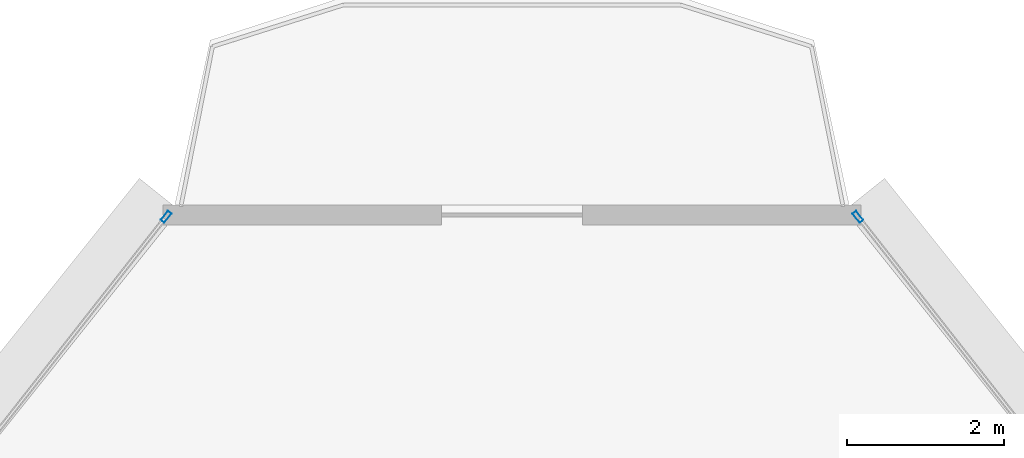
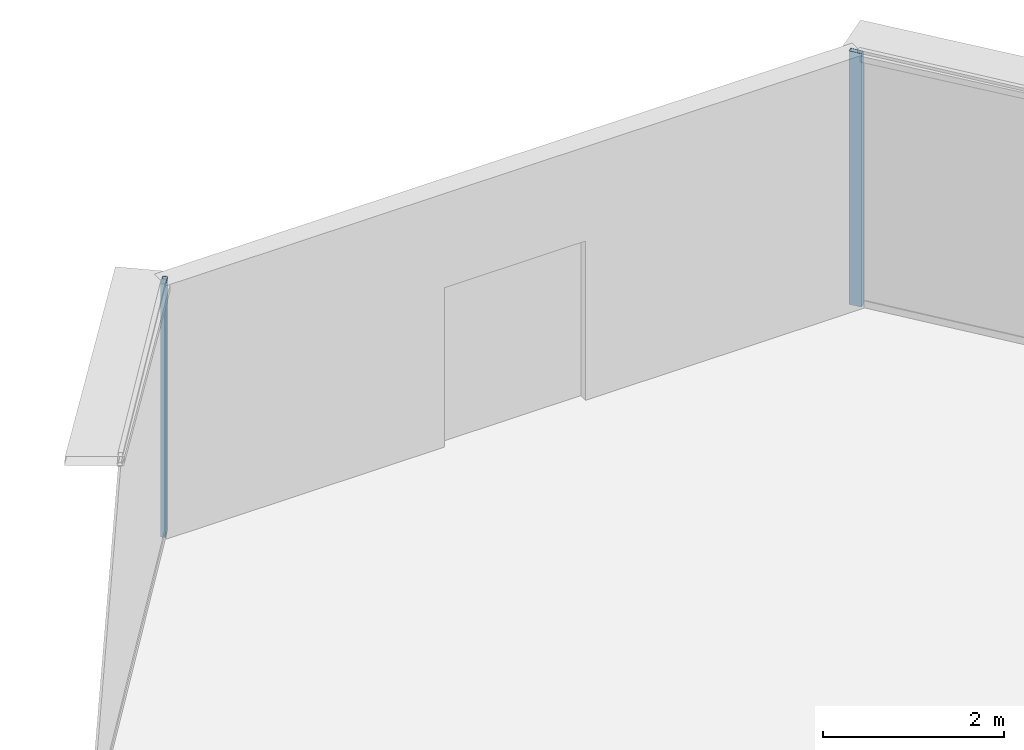
# One storey, part 29 of 42: 2 members, 2 elements without a shape of their own.
"""IFC4 building model written with IfcOpenShell, lengths in metres."""

from ifc_helpers import new_model, si_unit, direction, frame, origin, origin_2d, place, context, subcontext, project, spatial, hollow_rectangle, extrude, source, transform, mapped, material, layer, layer_set, material_profile, profile_set, type_object, element, aggregate, save


model = new_model("IFC4")

# Units and contexts
model_context = context("Model", 3, precision=1e-05, world=origin(), true_north=direction((0.0, 1.0)))
body_context = subcontext(model_context, "Body", "Model", "MODEL_VIEW")
ifc_project = project(units=[si_unit("LENGTHUNIT", "METRE"), si_unit("AREAUNIT", "SQUARE_METRE"), si_unit("VOLUMEUNIT", "CUBIC_METRE"), si_unit("PLANEANGLEUNIT", "RADIAN"), si_unit("MASSUNIT", "GRAM", prefix="KILO"), si_unit("THERMODYNAMICTEMPERATUREUNIT", "KELVIN"), si_unit("POWERUNIT", "WATT")], contexts=[model_context])

# Site, building, storey
site_placement = place(None, origin())
site = spatial("IfcSite", under=ifc_project, at=site_placement, CompositionType="ELEMENT")
building_placement = place(site_placement, origin())
building = spatial("IfcBuilding", under=site, at=building_placement, Name="Yunzhuo Pagoda Commons", CompositionType="ELEMENT")
storey_placement = place(building_placement, frame((0.0, 0.0, 129.830078125)))
storey = spatial("IfcBuildingStorey", under=building, at=storey_placement, Name="L32", CompositionType="ELEMENT", Elevation=129.830078125)

# Curtain wall, member
ifc_material = material(Name="Anodized aluminium 6063-T6", Category="aluminium")
ifc_layer = layer(ifc_material, 0.14990234375)
ifc_layer_set = layer_set([ifc_layer], Name="Anodized aluminium 6063-T6")
curtain_wall_type = type_object("IfcCurtainWallType", Name="CW-MID Mid-Zone Ribbon Curtain Wall", PredefinedType="NOTDEFINED", material=ifc_layer_set)
curtain_wall_1_placement = place(storey_placement, origin())
curtain_wall_1 = element("IfcCurtainWall", 1, at=curtain_wall_1_placement, inside=storey, type_object=curtain_wall_type, Name="L32 curtain wall CW-L32-F2B5", PredefinedType="NOTDEFINED")
ifc_material_profile = material_profile(ifc_material, hollow_rectangle(XDim=0.06005859375, YDim=0.14990234375, WallThickness=0.00390625, at=origin_2d()), Name="Anodized aluminium 6063-T6")
ifc_profile_set = profile_set([ifc_material_profile], Name="Anodized aluminium 6063-T6")
member_type = type_object("IfcMemberType", Name="CW-MID-M Mullion RHS 150x60x4", PredefinedType="MULLION", material=ifc_profile_set)
shared_shape = source(origin(), body_context, "Body", "SweptSolid", [
    extrude(hollow_rectangle(XDim=0.06005859375, YDim=0.14990234375, WallThickness=0.00390625, at=origin_2d()), origin(), (0.0, 0.0, 1.0), 3.419921875),
])
member_1_placement = place(storey_placement, frame((52.414794921875, 85.219970703125, 0.0), z_axis=(0.0, 0.0, 1.0), x_axis=(-0.786571576347, -0.617499113588, 0.0)))
member_1 = element("IfcMember", 2, at=member_1_placement, type_object=member_type, Name="CW mullion 2", PredefinedType="MULLION", context=body_context, shape_type="MappedRepresentation", body=[
    mapped(shared_shape, transform((0.0, 0.0, 0.0), scale=1.0)),
])
aggregate(curtain_wall_1, [member_1])

curtain_wall_2_placement = place(storey_placement, origin())
curtain_wall_2 = element("IfcCurtainWall", 3, at=curtain_wall_2_placement, inside=storey, type_object=curtain_wall_type, Name="L32 curtain wall CW-L32-F3B1", PredefinedType="NOTDEFINED")
member_2_placement = place(storey_placement, frame((43.585205078125, 85.219970703125, 0.0), z_axis=(0.0, 0.0, 1.0), x_axis=(0.786571576347, -0.617499113588, 0.0)))
member_2 = element("IfcMember", 4, at=member_2_placement, type_object=member_type, Name="CW mullion 1", PredefinedType="MULLION", context=body_context, shape_type="MappedRepresentation", body=[
    mapped(shared_shape, transform((0.0, 0.0, 0.0), scale=1.0)),
])
aggregate(curtain_wall_2, [member_2])

save(model, "model.ifc")
